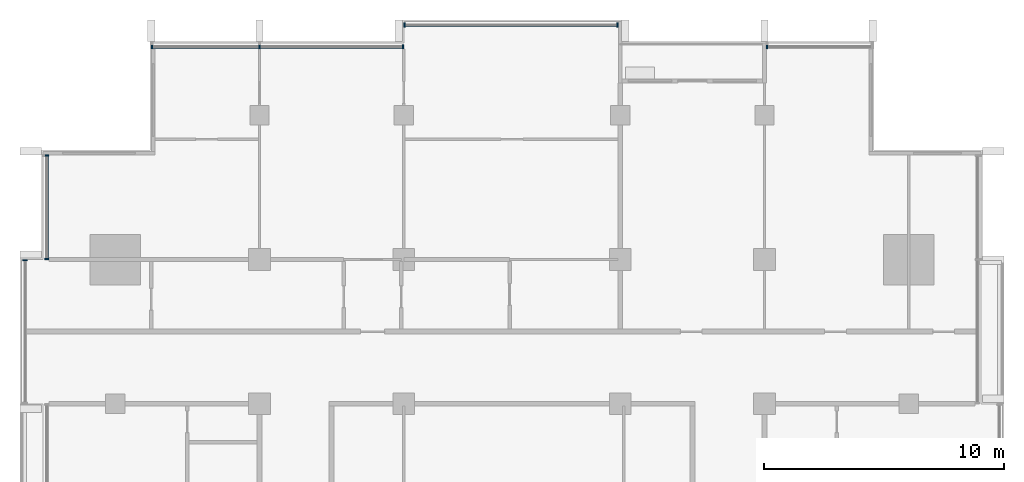
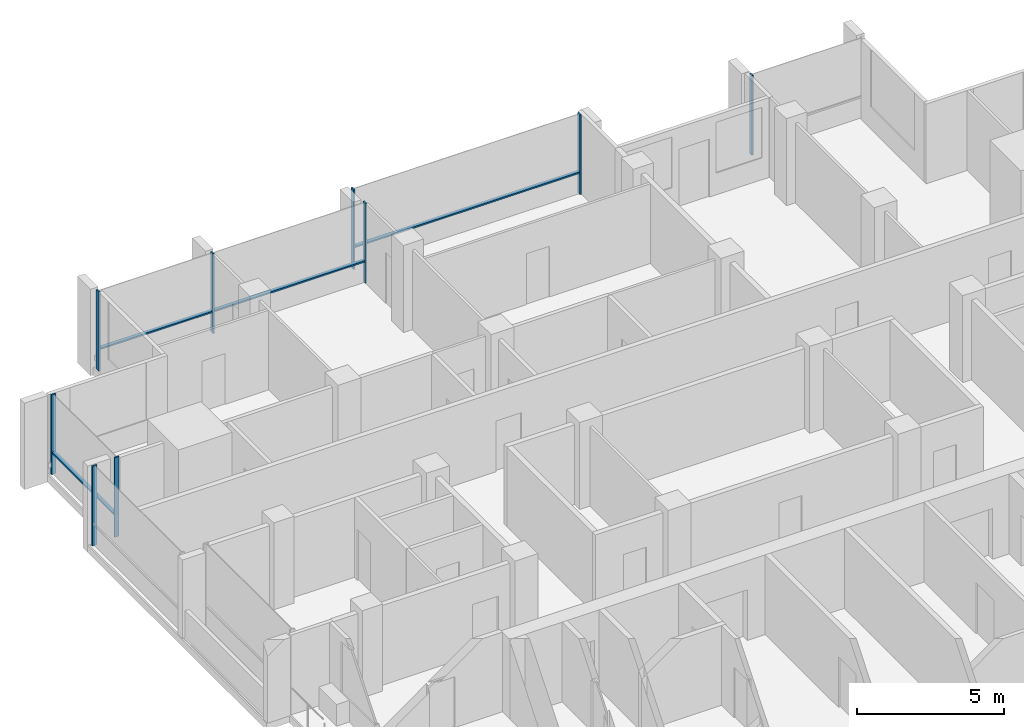
# One storey, part 4 of 16: 13 members, 5 elements without a shape of their own.
"""IFC4 building model written with IfcOpenShell, lengths in metres."""

from ifc_helpers import new_model, si_unit, direction, frame, origin, origin_2d, place, context, subcontext, project, spatial, rectangle, extrude, material, material_profile, profile_set, type_object, element, aggregate, save


model = new_model("IFC4")

# Units and contexts
model_context = context("Model", 3, precision=1e-05, world=origin(), true_north=direction((0.0, 1.0)))
body_context = subcontext(model_context, "Body", "Model", "MODEL_VIEW")
ifc_project = project(units=[si_unit("LENGTHUNIT", "METRE"), si_unit("AREAUNIT", "SQUARE_METRE"), si_unit("VOLUMEUNIT", "CUBIC_METRE"), si_unit("PLANEANGLEUNIT", "RADIAN"), si_unit("MASSUNIT", "GRAM", prefix="KILO")], contexts=[model_context])

# Site, building, storey
site_placement = place(None, origin())
site = spatial("IfcSite", under=ifc_project, at=site_placement, CompositionType="ELEMENT")
building_placement = place(site_placement, origin())
building = spatial("IfcBuilding", under=site, at=building_placement, Name="Finial Court Residences", CompositionType="ELEMENT")
storey_placement = place(building_placement, frame((0.0, 0.0, 230.300048828125)))
storey = spatial("IfcBuildingStorey", under=building, at=storey_placement, Name="L58", CompositionType="ELEMENT", Elevation=230.300048828125)

# Curtain wall, members
ifc_material = material(Name="Bronze anodised aluminium", Category="aluminium")
curtain_wall_type = type_object("IfcCurtainWallType", Name="Unitised curtain wall, upper zones", PredefinedType="NOTDEFINED", material=ifc_material)
curtain_wall_1_placement = place(storey_placement, origin())
curtain_wall_1 = element("IfcCurtainWall", 1, at=curtain_wall_1_placement, inside=storey, type_object=curtain_wall_type, Name="E-L58-CW-N1", PredefinedType="NOTDEFINED")
ifc_material_profile_1 = material_profile(ifc_material, rectangle(XDim=0.175048828125, YDim=0.06005859375, at=origin_2d()), Name="CW2 mullion 60 x 175")
ifc_profile_set_1 = profile_set([ifc_material_profile_1], Name="Bronze anodised aluminium")
member_type_1 = type_object("IfcMemberType", Name="CW2 mullion 60 x 175", PredefinedType="MULLION", material=ifc_profile_set_1)
member_1_placement = place(storey_placement, frame((-14.969970703125, 16.35009765625, 0.0), z_axis=(0.0, 0.0, 1.0), x_axis=(0.0, 1.0, 0.0)))
member_1 = element("IfcMember", 2, at=member_1_placement, type_object=member_type_1, Name="CW2 mullion 1", PredefinedType="MULLION", context=body_context, shape_type="SweptSolid", body=[
    extrude(rectangle(XDim=0.175048828125, YDim=0.06005859375, at=origin_2d()), origin(), (0.0, 0.0, 1.0), 3.300048828125),
])
member_2_placement = place(storey_placement, frame((-10.5, 16.35009765625, 0.0), z_axis=(0.0, 0.0, 1.0), x_axis=(0.0, 1.0, 0.0)))
member_2 = element("IfcMember", 3, at=member_2_placement, type_object=member_type_1, Name="CW2 mullion 2", PredefinedType="MULLION", context=body_context, shape_type="SweptSolid", body=[
    extrude(rectangle(XDim=0.175048828125, YDim=0.06005859375, at=origin_2d()), origin(), (0.0, 0.0, 1.0), 3.300048828125),
])
member_3_placement = place(storey_placement, frame((-4.530029296875, 16.35009765625, 0.0), z_axis=(0.0, 0.0, 1.0), x_axis=(0.0, 1.0, 0.0)))
member_3 = element("IfcMember", 4, at=member_3_placement, type_object=member_type_1, Name="CW2 mullion 3", PredefinedType="MULLION", context=body_context, shape_type="SweptSolid", body=[
    extrude(rectangle(XDim=0.175048828125, YDim=0.06005859375, at=origin_2d()), origin(), (0.0, 0.0, 1.0), 3.300048828125),
])

curtain_wall_2_placement = place(storey_placement, origin())
curtain_wall_2 = element("IfcCurtainWall", 5, at=curtain_wall_2_placement, inside=storey, type_object=curtain_wall_type, Name="E-L58-CW-N2", PredefinedType="NOTDEFINED")
member_4_placement = place(storey_placement, frame((-4.469970703125, 17.25, 0.0), z_axis=(0.0, 0.0, 1.0), x_axis=(0.0, 1.0, 0.0)))
member_4 = element("IfcMember", 6, at=member_4_placement, type_object=member_type_1, Name="CW2 mullion 1", PredefinedType="MULLION", context=body_context, shape_type="SweptSolid", body=[
    extrude(rectangle(XDim=0.175048828125, YDim=0.06005859375, at=origin_2d()), origin(), (0.0, 0.0, 1.0), 3.300048828125),
])
member_5_placement = place(storey_placement, frame((4.39501953125, 17.25, 0.0), z_axis=(0.0, 0.0, 1.0), x_axis=(0.0, 1.0, 0.0)))
member_5 = element("IfcMember", 7, at=member_5_placement, type_object=member_type_1, Name="CW2 mullion 2", PredefinedType="MULLION", context=body_context, shape_type="SweptSolid", body=[
    extrude(rectangle(XDim=0.175048828125, YDim=0.06005859375, at=origin_2d()), origin(), (0.0, 0.0, 1.0), 3.300048828125),
])

# Curtain wall, member
curtain_wall_3_placement = place(storey_placement, origin())
curtain_wall_3 = element("IfcCurtainWall", 8, at=curtain_wall_3_placement, inside=storey, type_object=curtain_wall_type, Name="E-L58-CW-N3", PredefinedType="NOTDEFINED")
member_6_placement = place(storey_placement, frame((10.60498046875, 16.35009765625, 0.0), z_axis=(0.0, 0.0, 1.0), x_axis=(0.0, 1.0, 0.0)))
member_6 = element("IfcMember", 9, at=member_6_placement, type_object=member_type_1, Name="CW2 mullion 1", PredefinedType="MULLION", context=body_context, shape_type="SweptSolid", body=[
    extrude(rectangle(XDim=0.175048828125, YDim=0.06005859375, at=origin_2d()), origin(), (0.0, 0.0, 1.0), 3.300048828125),
])
aggregate(curtain_wall_3, [member_6])

curtain_wall_4_placement = place(storey_placement, origin())
curtain_wall_4 = element("IfcCurtainWall", 10, at=curtain_wall_4_placement, inside=storey, type_object=curtain_wall_type, Name="E-L58-CW-W11", PredefinedType="NOTDEFINED")
member_7_placement = place(storey_placement, frame((-20.25, 7.469970703125, 0.0), z_axis=(0.0, 0.0, 1.0), x_axis=(-1.0, 0.0, 0.0)))
member_7 = element("IfcMember", 11, at=member_7_placement, type_object=member_type_1, Name="CW2 mullion 2", PredefinedType="MULLION", context=body_context, shape_type="SweptSolid", body=[
    extrude(rectangle(XDim=0.175048828125, YDim=0.06005859375, at=origin_2d()), origin(), (0.0, 0.0, 1.0), 3.300048828125),
])
aggregate(curtain_wall_4, [member_7])

# Curtain wall, members
curtain_wall_5_placement = place(storey_placement, origin())
curtain_wall_5 = element("IfcCurtainWall", 12, at=curtain_wall_5_placement, inside=storey, type_object=curtain_wall_type, Name="E-L58-CW-W12", PredefinedType="NOTDEFINED")
member_8_placement = place(storey_placement, frame((-19.35009765625, 7.530029296875, 0.0), z_axis=(0.0, 0.0, 1.0), x_axis=(-1.0, 0.0, 0.0)))
member_8 = element("IfcMember", 13, at=member_8_placement, type_object=member_type_1, Name="CW2 mullion 1", PredefinedType="MULLION", context=body_context, shape_type="SweptSolid", body=[
    extrude(rectangle(XDim=0.175048828125, YDim=0.06005859375, at=origin_2d()), origin(), (0.0, 0.0, 1.0), 3.300048828125),
])
member_9_placement = place(storey_placement, frame((-19.35009765625, 11.820068359375, 0.0), z_axis=(0.0, 0.0, 1.0), x_axis=(-1.0, 0.0, 0.0)))
member_9 = element("IfcMember", 14, at=member_9_placement, type_object=member_type_1, Name="CW2 mullion 2", PredefinedType="MULLION", context=body_context, shape_type="SweptSolid", body=[
    extrude(rectangle(XDim=0.175048828125, YDim=0.06005859375, at=origin_2d()), origin(), (0.0, 0.0, 1.0), 3.300048828125),
])

# Member
ifc_material_profile_2 = material_profile(ifc_material, rectangle(XDim=0.139892578125, YDim=0.06005859375, at=origin_2d()), Name="CW2 transom 60 x 140")
ifc_profile_set_2 = profile_set([ifc_material_profile_2], Name="Bronze anodised aluminium")
member_type_2 = type_object("IfcMemberType", Name="CW2 transom 60 x 140", PredefinedType="USERDEFINED", material=ifc_profile_set_2)
member_10_placement = place(storey_placement, frame((-14.93994140625, 16.35009765625, 0.89990234375), z_axis=(1.0, 0.0, 0.0), x_axis=(0.0, 1.0, 0.0)))
member_10 = element("IfcMember", 15, at=member_10_placement, type_object=member_type_2, Name="CW2 transom 1.1", ObjectType="TRANSOM", PredefinedType="USERDEFINED", context=body_context, shape_type="SweptSolid", body=[
    extrude(rectangle(XDim=0.139892578125, YDim=0.06005859375, at=origin_2d()), origin(), (0.0, 0.0, 1.0), 4.409912109375),
])

member_11_placement = place(storey_placement, frame((-10.469970703125, 16.35009765625, 0.89990234375), z_axis=(1.0, 0.0, 0.0), x_axis=(0.0, 1.0, 0.0)))
member_11 = element("IfcMember", 16, at=member_11_placement, type_object=member_type_2, Name="CW2 transom 2.1", ObjectType="TRANSOM", PredefinedType="USERDEFINED", context=body_context, shape_type="SweptSolid", body=[
    extrude(rectangle(XDim=0.139892578125, YDim=0.06005859375, at=origin_2d()), origin(), (0.0, 0.0, 1.0), 5.909912109375),
])

aggregate(curtain_wall_1, [member_1, member_2, member_3, member_10, member_11])

member_12_placement = place(storey_placement, frame((-4.43994140625, 17.25, 0.89990234375), z_axis=(1.0, 0.0, 0.0), x_axis=(0.0, 1.0, 0.0)))
member_12 = element("IfcMember", 17, at=member_12_placement, type_object=member_type_2, Name="CW2 transom 1.1", ObjectType="TRANSOM", PredefinedType="USERDEFINED", context=body_context, shape_type="SweptSolid", body=[
    extrude(rectangle(XDim=0.139892578125, YDim=0.06005859375, at=origin_2d()), origin(), (0.0, 0.0, 1.0), 8.804931640625),
])

aggregate(curtain_wall_2, [member_4, member_5, member_12])

member_13_placement = place(storey_placement, frame((-19.35009765625, 7.56005859375, 0.89990234375), z_axis=(0.0, 1.0, 0.0), x_axis=(-1.0, 0.0, 0.0)))
member_13 = element("IfcMember", 18, at=member_13_placement, type_object=member_type_2, Name="CW2 transom 1.1", ObjectType="TRANSOM", PredefinedType="USERDEFINED", context=body_context, shape_type="SweptSolid", body=[
    extrude(rectangle(XDim=0.139892578125, YDim=0.06005859375, at=origin_2d()), origin(), (0.0, 0.0, 1.0), 4.22998046875),
])

aggregate(curtain_wall_5, [member_8, member_9, member_13])

save(model, "model.ifc")
